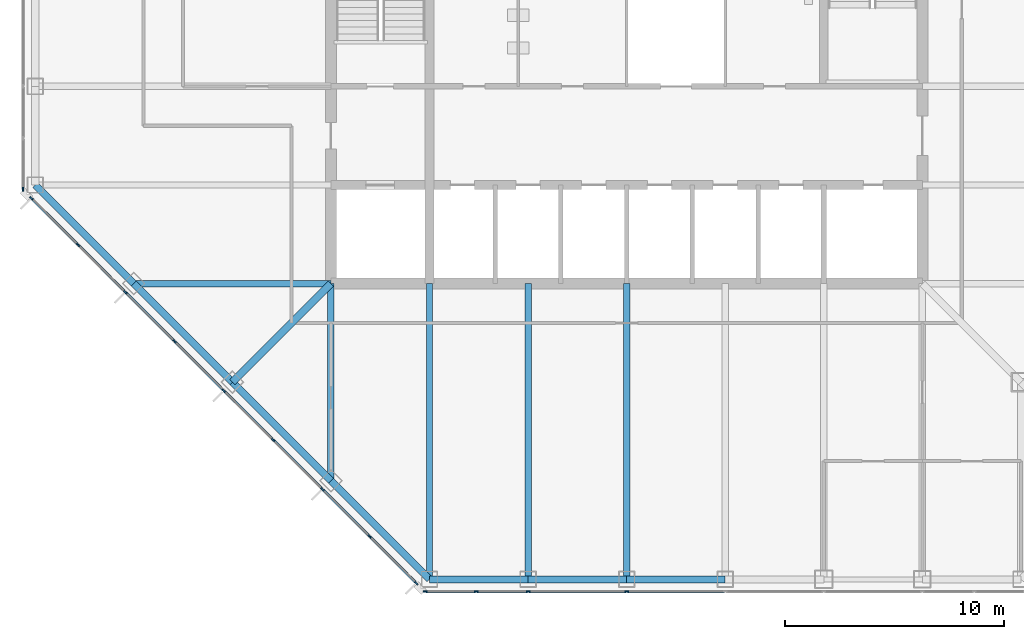
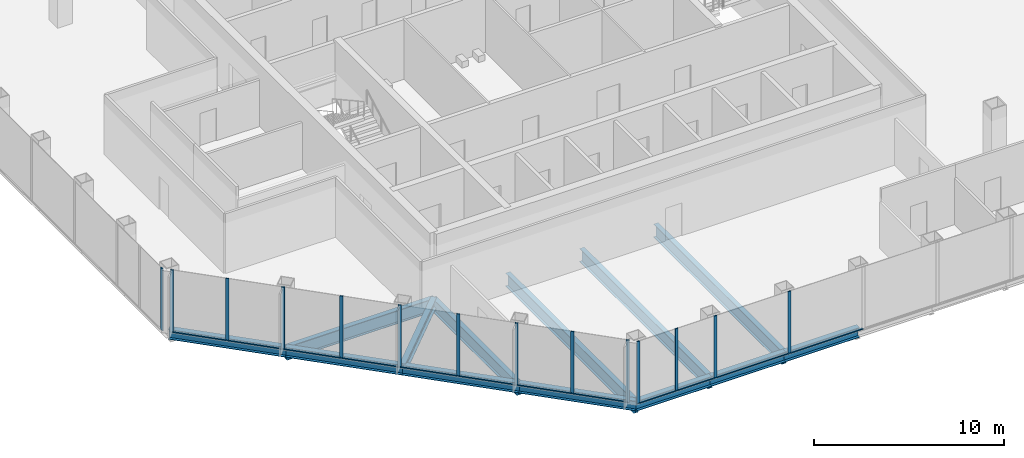
# One storey, part 2 of 12: 26 members, 13 beams, 3 elements without a shape of their own.
"""IFC4 building model written with IfcOpenShell, lengths in metres."""

import ifcopenshell
import ifcopenshell.guid

model = None  # the IFC model being written
_history = None  # IfcOwnerHistory: only IFC2X3 demands one
_inside = {}  # id of a spatial element -> (the spatial element, [elements in it])
_under = {}  # id of a project, library or spatial element -> (it, [spatial elements below it])
_declared = {}  # id of a project -> (the project, [libraries it declares])
_typed = {}  # id of a type object -> (the type object, [elements of that type])
_made_of = {}  # id of a material, layer set ... -> (it, [elements and type objects made of it])


def new_model(schema):
    """Start an empty IFC model of exactly this schema.

    Asked for "IFC4X3", IfcOpenShell would pick the latest addendum, in which some entities
    have other attributes; the version numbers below select the first issue.
    IFC2X3 requires an IfcOwnerHistory on every rooted entity: one is made here for all.
    """
    global model, _history
    if schema == "IFC4X3":
        model = ifcopenshell.file(schema_version=(4, 3, 0, 0))
    else:
        model = ifcopenshell.file(schema=schema)
    _inside.clear()
    _under.clear()
    _declared.clear()
    _typed.clear()
    _made_of.clear()
    _history = None
    if model.schema == "IFC2X3":
        org = make("IfcOrganization", Name="unknown")
        user = make(
            "IfcPersonAndOrganization",
            ThePerson=make("IfcPerson", FamilyName="unknown"),
            TheOrganization=org,
        )
        app = make(
            "IfcApplication",
            ApplicationDeveloper=org,
            Version="unknown",
            ApplicationFullName="unknown",
            ApplicationIdentifier="unknown",
        )
        _history = make(
            "IfcOwnerHistory",
            OwningUser=user,
            OwningApplication=app,
            ChangeAction="ADDED",
            CreationDate=0,
        )
    return model


def make(cls, **values):
    """One entity of the class cls with the attributes given. An attribute that is None is left unset."""
    return model.create_entity(
        cls, **{name: value for name, value in values.items() if value is not None}
    )


def rooted(cls, **values):
    """An entity with a GlobalId (a new one), such as an element, a storey or a relation."""
    return make(cls, GlobalId=ifcopenshell.guid.new(), OwnerHistory=_history, **values)


def si_unit(unit_type, name, prefix=None):
    """IfcSIUnit, for example si_unit("LENGTHUNIT", "METRE", prefix="MILLI")."""
    return make("IfcSIUnit", UnitType=unit_type, Prefix=prefix, Name=name)


def assignment(units):
    """IfcUnitAssignment: the units of a project."""
    return None if units is None else make("IfcUnitAssignment", Units=units)


def point(xyz):
    """IfcCartesianPoint."""
    return None if xyz is None else make("IfcCartesianPoint", Coordinates=xyz)


def direction(xyz):
    """IfcDirection."""
    return None if xyz is None else make("IfcDirection", DirectionRatios=xyz)


def frame(location, z_axis=None, x_axis=None):
    """IfcAxis2Placement3D, a coordinate frame: its origin and axes. An axis left out is left unset."""
    return make(
        "IfcAxis2Placement3D",
        Location=point(location),
        Axis=direction(z_axis),
        RefDirection=direction(x_axis),
    )


def frame_2d(location, x_axis=None):
    """IfcAxis2Placement2D, a coordinate frame in the plane: its origin and x axis."""
    return make(
        "IfcAxis2Placement2D", Location=point(location), RefDirection=direction(x_axis)
    )


def origin():
    """The frame at (0, 0, 0) with its axes left unset."""
    return frame((0.0, 0.0, 0.0))


def origin_2d():
    """The frame at (0, 0) in the plane with its x axis left unset."""
    return frame_2d((0.0, 0.0))


def place(relative_to, where):
    """IfcLocalPlacement: puts the frame where relative to a parent placement (None: the world)."""
    return make(
        "IfcLocalPlacement", PlacementRelTo=relative_to, RelativePlacement=where
    )


def context(
    kind, dimensions, precision=None, world=None, true_north=None, identifier=None
):
    """IfcGeometricRepresentationContext, for example the 3D "Model" context."""
    return make(
        "IfcGeometricRepresentationContext",
        ContextIdentifier=identifier,
        ContextType=kind,
        CoordinateSpaceDimension=dimensions,
        Precision=precision,
        WorldCoordinateSystem=world,
        TrueNorth=true_north,
    )


def subcontext(parent, identifier, kind, view, scale=None):
    """IfcGeometricRepresentationSubContext, for example "Body" below "Model"."""
    return make(
        "IfcGeometricRepresentationSubContext",
        ContextIdentifier=identifier,
        ContextType=kind,
        ParentContext=parent,
        TargetScale=scale,
        TargetView=view,
    )


def project(units=None, contexts=None):
    """IfcProject with its units and contexts."""
    return rooted(
        "IfcProject",
        Name="project",
        RepresentationContexts=contexts,
        UnitsInContext=assignment(units),
    )


def spatial(cls, under=None, at=None, **own):
    """A site, building, storey or space (cls), placed at a placement, below another one or the project."""
    s = rooted(cls, ObjectPlacement=at, **own)
    if under is not None:
        _under.setdefault(under.id(), (under, []))[1].append(s)
    return s


def profile(cls, at=None, kind="AREA", **sizes):
    """A parametric profile (cls). Its sizes go by their IFC names, for example OverallWidth=200.0."""
    return make(cls, ProfileType=kind, Position=at, **sizes)


def rectangle(**sizes):
    """IfcRectangleProfileDef."""
    return profile("IfcRectangleProfileDef", **sizes)


def i_section(**sizes):
    """IfcIShapeProfileDef."""
    return profile("IfcIShapeProfileDef", **sizes)


def extrude(swept, where, along, depth):
    """IfcExtrudedAreaSolid: the profile swept, set in the frame where, extruded along a direction by depth."""
    return make(
        "IfcExtrudedAreaSolid",
        SweptArea=swept,
        Position=where,
        ExtrudedDirection=direction(along),
        Depth=depth,
    )


def shape(context_of_items, identifier, shape_type, items):
    """IfcShapeRepresentation: the items that make up one representation, for example the "Body"."""
    return make(
        "IfcShapeRepresentation",
        ContextOfItems=context_of_items,
        RepresentationIdentifier=identifier,
        RepresentationType=shape_type,
        Items=items,
    )


def material(Name=None, Category=None):
    """IfcMaterial."""
    return make("IfcMaterial", Name=Name, Category=Category)


def material_profile(
    of_material, cross_section, Name=None, Category=None, Priority=None
):
    """IfcMaterialProfile: a cross section and its material."""
    return make(
        "IfcMaterialProfile",
        Name=Name,
        Material=of_material,
        Profile=cross_section,
        Priority=Priority,
        Category=Category,
    )


def profile_set(profiles, Name=None, composite=None):
    """IfcMaterialProfileSet."""
    return make(
        "IfcMaterialProfileSet",
        Name=Name,
        MaterialProfiles=profiles,
        CompositeProfile=composite,
    )


def made_of(thing, what):
    """Note that an element or type object is made of a material, layer set ...; save() writes the relation."""
    if what is not None:
        _made_of.setdefault(what.id(), (what, []))[1].append(thing)
    return thing


def type_object(cls, material=None, **own):
    """A type object (cls), such as IfcWallType, which elements share."""
    return made_of(rooted(cls, **own), material)


def element(
    cls,
    number,
    at=None,
    inside=None,
    cuts=None,
    type_object=None,
    material=None,
    context=None,
    identifier="Body",
    shape_type=None,
    held_by="IfcProductDefinitionShape",
    body=None,
    shapes=None,
    **own,
):
    """One element of the class cls, such as IfcWall. Its Tag is "e" and its number.

    at: its placement. inside: the storey or other place that contains it. cuts: it is an
    opening in that element (IfcRelVoidsElement). A single representation is given by context,
    identifier, shape_type and body (its items); several are given by shapes. held_by: the class
    of the entity that holds the representations. save() writes the other relations.
    """
    e = rooted(cls, Tag="e%d" % number, ObjectPlacement=at, **own)
    if body is not None:
        shapes = [shape(context, identifier, shape_type, body)]
    if shapes is not None:
        e.Representation = make(held_by, Representations=shapes)
    if inside is not None:
        _inside.setdefault(inside.id(), (inside, []))[1].append(e)
    if cuts is not None:
        rooted(
            "IfcRelVoidsElement", RelatingBuildingElement=cuts, RelatedOpeningElement=e
        )
    if type_object is not None:
        _typed.setdefault(type_object.id(), (type_object, []))[1].append(e)
    return made_of(e, material)


def aggregate(whole, parts):
    """IfcRelAggregates: a whole, such as a stair, and the parts it consists of."""
    return rooted("IfcRelAggregates", RelatingObject=whole, RelatedObjects=parts)


def save(model, path):
    """Write the relations noted so far, then the file.

    IfcRelAggregates (storeys below a building ...), IfcRelContainedInSpatialStructure (elements
    in a storey), IfcRelDefinesByType, IfcRelAssociatesMaterial and IfcRelDeclares: one each for
    every whole, place, type object, material and project.
    """
    for whole, parts in _under.values():
        aggregate(whole, parts)
    for where, things in _inside.values():
        rooted(
            "IfcRelContainedInSpatialStructure",
            RelatedElements=things,
            RelatingStructure=where,
        )
    for kind, things in _typed.values():
        rooted("IfcRelDefinesByType", RelatedObjects=things, RelatingType=kind)
    for what, things in _made_of.values():
        rooted("IfcRelAssociatesMaterial", RelatedObjects=things, RelatingMaterial=what)
    for by, libraries in _declared.values():
        rooted("IfcRelDeclares", RelatingContext=by, RelatedDefinitions=libraries)
    model.write(path)


model = new_model("IFC4")

# Units and contexts
model_context = context("Model", 3, precision=1e-05, world=origin(), true_north=direction((0.0, 1.0)))
body_context = subcontext(model_context, "Body", "Model", "MODEL_VIEW")
ifc_project = project(units=[si_unit("LENGTHUNIT", "METRE"), si_unit("AREAUNIT", "SQUARE_METRE"), si_unit("VOLUMEUNIT", "CUBIC_METRE"), si_unit("PLANEANGLEUNIT", "RADIAN"), si_unit("MASSUNIT", "GRAM", prefix="KILO")], contexts=[model_context])

# Site, building, storey
site_placement = place(None, origin())
site = spatial("IfcSite", under=ifc_project, at=site_placement, CompositionType="ELEMENT")
building_placement = place(site_placement, origin())
building = spatial("IfcBuilding", under=site, at=building_placement, Name="Corais Broadcast Tower", CompositionType="ELEMENT")
storey_placement = place(building_placement, frame((0.0, 0.0, 127.60009765625)))
storey = spatial("IfcBuildingStorey", under=building, at=storey_placement, Name="L28", CompositionType="ELEMENT", Elevation=127.60009765625)

# Beams
ifc_material_1 = material(Name="Steel ASTM A572 Grade 50", Category="steel")
ifc_material_profile_1 = material_profile(ifc_material_1, i_section(OverallWidth=0.323974609375, OverallDepth=0.611083984375, WebThickness=0.0126953125, FlangeThickness=0.01904296875, at=origin_2d()), Name="W610x155")
ifc_profile_set_1 = profile_set([ifc_material_profile_1], Name="Steel ASTM A572 Grade 50")
beam_type_1 = type_object("IfcBeamType", Name="Corner diagonal W610x155", PredefinedType="BEAM", material=ifc_profile_set_1)
beam_1_placement = place(storey_placement, frame((9.0, 9.0, -0.465576171875), z_axis=(0.707106781187, 0.707106781187, 0.0), x_axis=(-0.707106781187, 0.707106781187, 0.0)))
element("IfcBeam", 1, at=beam_1_placement, inside=storey, type_object=beam_type_1, Name="B6 C/5 to D/6", PredefinedType="BEAM", context=body_context, shape_type="SweptSolid", body=[
    extrude(i_section(OverallWidth=0.323974609375, OverallDepth=0.611083984375, WebThickness=0.0126953125, FlangeThickness=0.01904296875, at=origin_2d()), origin(), (0.0, 0.0, 1.0), 6.364013671875),
])
ifc_material_2 = material(Name="Steel ASTM A572 Grade 50", Category="steel")
ifc_material_profile_2 = material_profile(ifc_material_2, i_section(OverallWidth=0.2939453125, OverallDepth=0.85107421875, WebThickness=0.01611328125, FlangeThickness=0.02685546875, at=origin_2d()), Name="W840x226")
ifc_profile_set_2 = profile_set([ifc_material_profile_2], Name="Steel ASTM A572 Grade 50")
beam_type_2 = type_object("IfcBeamType", Name="Floor beam W840x226", PredefinedType="BEAM", material=ifc_profile_set_2)
beam_2_placement = place(storey_placement, frame((13.5, 4.5, -0.585693359375), z_axis=(0.0, 1.0, 0.0), x_axis=(-1.0, 0.0, 0.0)))
element("IfcBeam", 2, at=beam_2_placement, inside=storey, type_object=beam_type_2, Name="B1 B/6 to D/6", PredefinedType="BEAM", context=body_context, shape_type="SweptSolid", body=[
    extrude(i_section(OverallWidth=0.2939453125, OverallDepth=0.85107421875, WebThickness=0.01611328125, FlangeThickness=0.02685546875, at=origin_2d()), origin(), (0.0, 0.0, 1.0), 9.0),
])
for number, where, z_axis, x_axis, name in (
    (3, (18.0, 0.0, -0.585693359375), (0.0, 1.0, 0.0), (-1.0, 0.0, 0.0), "B1 A/7 to D/7"),
    (4, (22.5, 0.0, -0.585693359375), (0.0, 1.0, 0.0), (-1.0, 0.0, 0.0), "B1 A/8 to D/8"),
    (5, (27.0, 0.0, -0.585693359375), (0.0, 1.0, 0.0), (-1.0, 0.0, 0.0), "B1 A/9 to D/9"),
):
    element("IfcBeam", number, at=place(storey_placement, frame(where, z_axis=z_axis, x_axis=x_axis)), inside=storey, type_object=beam_type_2, Name=name, PredefinedType="BEAM", context=body_context, shape_type="SweptSolid", body=[
        extrude(i_section(OverallWidth=0.2939453125, OverallDepth=0.85107421875, WebThickness=0.01611328125, FlangeThickness=0.02685546875, at=origin_2d()), origin(), (0.0, 0.0, 1.0), 13.5),
    ])
beam_3_placement = place(storey_placement, frame((4.5, 13.5, -0.585693359375), z_axis=(1.0, 0.0, 0.0), x_axis=(0.0, 1.0, 0.0)))
element("IfcBeam", 6, at=beam_3_placement, inside=storey, type_object=beam_type_2, Name="B1 D/4 to D/6", PredefinedType="BEAM", context=body_context, shape_type="SweptSolid", body=[
    extrude(i_section(OverallWidth=0.2939453125, OverallDepth=0.85107421875, WebThickness=0.01611328125, FlangeThickness=0.02685546875, at=origin_2d()), origin(), (0.0, 0.0, 1.0), 9.0),
])

# Curtain wall, members
ifc_material_3 = material(Name="Aluminium and glass", Category="aluminium")
curtain_wall_type = type_object("IfcCurtainWallType", Name="Unitised fritted curtain wall CW2", PredefinedType="NOTDEFINED", material=ifc_material_3)
curtain_wall_1_placement = place(storey_placement, origin())
curtain_wall_1 = element("IfcCurtainWall", 7, at=curtain_wall_1_placement, inside=storey, type_object=curtain_wall_type, Name="CW2 curtain wall L28 1", PredefinedType="NOTDEFINED")
ifc_material_4 = material(Name="Aluminium 6063-T6", Category="aluminium")
ifc_material_profile_3 = material_profile(ifc_material_4, rectangle(XDim=0.06494140625, YDim=0.179931640625, at=origin_2d()), Name="Mullion CW2 65x180")
ifc_profile_set_3 = profile_set([ifc_material_profile_3], Name="Aluminium 6063-T6")
member_type_1 = type_object("IfcMemberType", Name="Mullion CW2 65x180", PredefinedType="MULLION", material=ifc_profile_set_3)
member_1_placement = place(storey_placement, frame((17.3955078125, -0.17333984375, 0.0), z_axis=(0.0, 0.0, 1.0), x_axis=(-0.707106781187, -0.707106781187, 0.0)))
member_1 = element("IfcMember", 8, at=member_1_placement, type_object=member_type_1, Name="CW2 mullion 1", PredefinedType="MULLION", context=body_context, shape_type="SweptSolid", body=[
    extrude(rectangle(XDim=0.06494140625, YDim=0.179931640625, at=origin_2d()), origin(), (0.0, 0.0, 1.0), 4.0),
])
member_2_placement = place(storey_placement, frame((15.264892578125, 1.957275390625, 0.0), z_axis=(0.0, 0.0, 1.0), x_axis=(-0.707106781187, -0.707106781187, 0.0)))
member_2 = element("IfcMember", 9, at=member_2_placement, type_object=member_type_1, Name="CW2 mullion 2", PredefinedType="MULLION", context=body_context, shape_type="SweptSolid", body=[
    extrude(rectangle(XDim=0.06494140625, YDim=0.179931640625, at=origin_2d()), origin(), (0.0, 0.0, 1.0), 4.0),
])
member_3_placement = place(storey_placement, frame((13.111083984375, 4.111083984375, 0.0), z_axis=(0.0, 0.0, 1.0), x_axis=(-0.707106781187, -0.707106781187, 0.0)))
member_3 = element("IfcMember", 10, at=member_3_placement, type_object=member_type_1, Name="CW2 mullion 3", PredefinedType="MULLION", context=body_context, shape_type="SweptSolid", body=[
    extrude(rectangle(XDim=0.06494140625, YDim=0.179931640625, at=origin_2d()), origin(), (0.0, 0.0, 1.0), 4.0),
])
member_4_placement = place(storey_placement, frame((10.861083984375, 6.361083984375, 0.0), z_axis=(0.0, 0.0, 1.0), x_axis=(-0.707106781187, -0.707106781187, 0.0)))
member_4 = element("IfcMember", 11, at=member_4_placement, type_object=member_type_1, Name="CW2 mullion 4", PredefinedType="MULLION", context=body_context, shape_type="SweptSolid", body=[
    extrude(rectangle(XDim=0.06494140625, YDim=0.179931640625, at=origin_2d()), origin(), (0.0, 0.0, 1.0), 4.0),
])
member_5_placement = place(storey_placement, frame((8.611083984375, 8.611083984375, 0.0), z_axis=(0.0, 0.0, 1.0), x_axis=(-0.707106781187, -0.707106781187, 0.0)))
member_5 = element("IfcMember", 12, at=member_5_placement, type_object=member_type_1, Name="CW2 mullion 5", PredefinedType="MULLION", context=body_context, shape_type="SweptSolid", body=[
    extrude(rectangle(XDim=0.06494140625, YDim=0.179931640625, at=origin_2d()), origin(), (0.0, 0.0, 1.0), 4.0),
])
member_6_placement = place(storey_placement, frame((6.361083984375, 10.861083984375, 0.0), z_axis=(0.0, 0.0, 1.0), x_axis=(-0.707106781187, -0.707106781187, 0.0)))
member_6 = element("IfcMember", 13, at=member_6_placement, type_object=member_type_1, Name="CW2 mullion 6", PredefinedType="MULLION", context=body_context, shape_type="SweptSolid", body=[
    extrude(rectangle(XDim=0.06494140625, YDim=0.179931640625, at=origin_2d()), origin(), (0.0, 0.0, 1.0), 4.0),
])
member_7_placement = place(storey_placement, frame((4.111083984375, 13.111083984375, 0.0), z_axis=(0.0, 0.0, 1.0), x_axis=(-0.707106781187, -0.707106781187, 0.0)))
member_7 = element("IfcMember", 14, at=member_7_placement, type_object=member_type_1, Name="CW2 mullion 7", PredefinedType="MULLION", context=body_context, shape_type="SweptSolid", body=[
    extrude(rectangle(XDim=0.06494140625, YDim=0.179931640625, at=origin_2d()), origin(), (0.0, 0.0, 1.0), 4.0),
])
member_8_placement = place(storey_placement, frame((1.957275390625, 15.264892578125, 0.0), z_axis=(0.0, 0.0, 1.0), x_axis=(-0.707106781187, -0.707106781187, 0.0)))
member_8 = element("IfcMember", 15, at=member_8_placement, type_object=member_type_1, Name="CW2 mullion 8", PredefinedType="MULLION", context=body_context, shape_type="SweptSolid", body=[
    extrude(rectangle(XDim=0.06494140625, YDim=0.179931640625, at=origin_2d()), origin(), (0.0, 0.0, 1.0), 4.0),
])
member_9_placement = place(storey_placement, frame((-0.17333984375, 17.3955078125, 0.0), z_axis=(0.0, 0.0, 1.0), x_axis=(-0.707106781187, -0.707106781187, 0.0)))
member_9 = element("IfcMember", 16, at=member_9_placement, type_object=member_type_1, Name="CW2 mullion 9", PredefinedType="MULLION", context=body_context, shape_type="SweptSolid", body=[
    extrude(rectangle(XDim=0.06494140625, YDim=0.179931640625, at=origin_2d()), origin(), (0.0, 0.0, 1.0), 4.0),
])

# Curtain wall, member
curtain_wall_2_placement = place(storey_placement, origin())
curtain_wall_2 = element("IfcCurtainWall", 17, at=curtain_wall_2_placement, inside=storey, type_object=curtain_wall_type, Name="CW2 curtain wall L28 2", PredefinedType="NOTDEFINED")
member_10_placement = place(storey_placement, frame((-0.550048828125, 17.8046875, 0.0), z_axis=(0.0, 0.0, 1.0), x_axis=(-1.0, 0.0, 0.0)))
member_10 = element("IfcMember", 18, at=member_10_placement, type_object=member_type_1, Name="CW2 mullion 1", PredefinedType="MULLION", context=body_context, shape_type="SweptSolid", body=[
    extrude(rectangle(XDim=0.06494140625, YDim=0.179931640625, at=origin_2d()), origin(), (0.0, 0.0, 1.0), 4.0),
])
aggregate(curtain_wall_2, [member_10])

# Curtain wall, members
curtain_wall_3_placement = place(storey_placement, origin())
curtain_wall_3 = element("IfcCurtainWall", 19, at=curtain_wall_3_placement, inside=storey, type_object=curtain_wall_type, Name="CW2 curtain wall L28 8", PredefinedType="NOTDEFINED")
member_11_placement = place(storey_placement, frame((27.0, -0.550048828125, 0.0), z_axis=(0.0, 0.0, 1.0), x_axis=(0.0, -1.0, 0.0)))
member_11 = element("IfcMember", 20, at=member_11_placement, type_object=member_type_1, Name="CW2 mullion 6", PredefinedType="MULLION", context=body_context, shape_type="SweptSolid", body=[
    extrude(rectangle(XDim=0.06494140625, YDim=0.179931640625, at=origin_2d()), origin(), (0.0, 0.0, 1.0), 4.0),
])
member_12_placement = place(storey_placement, frame((22.5, -0.550048828125, 0.0), z_axis=(0.0, 0.0, 1.0), x_axis=(0.0, -1.0, 0.0)))
member_12 = element("IfcMember", 21, at=member_12_placement, type_object=member_type_1, Name="CW2 mullion 7", PredefinedType="MULLION", context=body_context, shape_type="SweptSolid", body=[
    extrude(rectangle(XDim=0.06494140625, YDim=0.179931640625, at=origin_2d()), origin(), (0.0, 0.0, 1.0), 4.0),
])
member_13_placement = place(storey_placement, frame((20.135986328125, -0.550048828125, 0.0), z_axis=(0.0, 0.0, 1.0), x_axis=(0.0, -1.0, 0.0)))
member_13 = element("IfcMember", 22, at=member_13_placement, type_object=member_type_1, Name="CW2 mullion 8", PredefinedType="MULLION", context=body_context, shape_type="SweptSolid", body=[
    extrude(rectangle(XDim=0.06494140625, YDim=0.179931640625, at=origin_2d()), origin(), (0.0, 0.0, 1.0), 4.0),
])
member_14_placement = place(storey_placement, frame((17.8046875, -0.550048828125, 0.0), z_axis=(0.0, 0.0, 1.0), x_axis=(0.0, -1.0, 0.0)))
member_14 = element("IfcMember", 23, at=member_14_placement, type_object=member_type_1, Name="CW2 mullion 9", PredefinedType="MULLION", context=body_context, shape_type="SweptSolid", body=[
    extrude(rectangle(XDim=0.06494140625, YDim=0.179931640625, at=origin_2d()), origin(), (0.0, 0.0, 1.0), 4.0),
])

# Beams
ifc_material_5 = material(Name="Steel ASTM A572 Grade 50", Category="steel")
ifc_material_profile_4 = material_profile(ifc_material_5, i_section(OverallWidth=0.3291015625, OverallDepth=0.635009765625, WebThickness=0.017822265625, FlangeThickness=0.031005859375, at=origin_2d()), Name="W610x241")
ifc_profile_set_4 = profile_set([ifc_material_profile_4], Name="Steel ASTM A572 Grade 50")
beam_type_3 = type_object("IfcBeamType", Name="Spandrel W610x241", PredefinedType="BEAM", material=ifc_profile_set_4)
for number, where, z_axis, x_axis, name in (
    (24, (0.0, 18.0, -0.4775390625), (0.707106781187, -0.707106781187, 0.0), (0.707106781187, 0.707106781187, 0.0), "SB1 E/3 to D/4"),
    (25, (13.5, 4.5, -0.4775390625), (0.707106781187, -0.707106781187, 0.0), (0.707106781187, 0.707106781187, 0.0), "SB1 B/6 to A/7"),
):
    element("IfcBeam", number, at=place(storey_placement, frame(where, z_axis=z_axis, x_axis=x_axis)), inside=storey, type_object=beam_type_3, Name=name, PredefinedType="BEAM", context=body_context, shape_type="SweptSolid", body=[
        extrude(i_section(OverallWidth=0.3291015625, OverallDepth=0.635009765625, WebThickness=0.017822265625, FlangeThickness=0.031005859375, at=origin_2d()), origin(), (0.0, 0.0, 1.0), 6.364013671875),
    ])
for number, where, z_axis, x_axis, name in (
    (26, (18.0, 0.0, -0.4775390625), (1.0, 0.0, 0.0), (0.0, 1.0, 0.0), "SB1 A/7 to A/8"),
    (27, (22.5, 0.0, -0.4775390625), (1.0, 0.0, 0.0), (0.0, 1.0, 0.0), "SB1 A/8 to A/9"),
    (28, (27.0, 0.0, -0.4775390625), (1.0, 0.0, 0.0), (0.0, 1.0, 0.0), "SB1 A/9 to A/10"),
):
    element("IfcBeam", number, at=place(storey_placement, frame(where, z_axis=z_axis, x_axis=x_axis)), inside=storey, type_object=beam_type_3, Name=name, PredefinedType="BEAM", context=body_context, shape_type="SweptSolid", body=[
        extrude(i_section(OverallWidth=0.3291015625, OverallDepth=0.635009765625, WebThickness=0.017822265625, FlangeThickness=0.031005859375, at=origin_2d()), origin(), (0.0, 0.0, 1.0), 4.5),
    ])
for number, where, z_axis, x_axis, name in (
    (29, (4.5, 13.5, -0.4775390625), (0.707106781187, -0.707106781187, 0.0), (0.707106781187, 0.707106781187, 0.0), "SB1 D/4 to C/5"),
    (30, (9.0, 9.0, -0.4775390625), (0.707106781187, -0.707106781187, 0.0), (0.707106781187, 0.707106781187, 0.0), "SB1 C/5 to B/6"),
):
    element("IfcBeam", number, at=place(storey_placement, frame(where, z_axis=z_axis, x_axis=x_axis)), inside=storey, type_object=beam_type_3, Name=name, PredefinedType="BEAM", context=body_context, shape_type="SweptSolid", body=[
        extrude(i_section(OverallWidth=0.3291015625, OverallDepth=0.635009765625, WebThickness=0.017822265625, FlangeThickness=0.031005859375, at=origin_2d()), origin(), (0.0, 0.0, 1.0), 6.364013671875),
    ])

# Member
ifc_material_6 = material(Name="Aluminium 6063-T6", Category="aluminium")
ifc_material_profile_5 = material_profile(ifc_material_6, rectangle(XDim=0.1298828125, YDim=0.06494140625, at=origin_2d()), Name="Transom CW2 65x130")
ifc_profile_set_5 = profile_set([ifc_material_profile_5], Name="Aluminium 6063-T6")
member_type_2 = type_object("IfcMemberType", Name="Transom CW2 65x130", PredefinedType="USERDEFINED", material=ifc_profile_set_5)
member_15_placement = place(storey_placement, frame((17.37255859375, -0.150390625, 0.032470703125), z_axis=(-0.707106781187, 0.707106781187, 0.0), x_axis=(-0.707106781187, -0.707106781187, 0.0)))
member_15 = element("IfcMember", 31, at=member_15_placement, type_object=member_type_2, Name="CW2 transom 1.1", ObjectType="TRANSOM", PredefinedType="USERDEFINED", context=body_context, shape_type="SweptSolid", body=[
    extrude(rectangle(XDim=0.1298828125, YDim=0.06494140625, at=origin_2d()), origin(), (0.0, 0.0, 1.0), 2.9482421875),
])

member_16_placement = place(storey_placement, frame((15.241943359375, 1.980224609375, 0.032470703125), z_axis=(-0.707106781187, 0.707106781187, 0.0), x_axis=(-0.707106781187, -0.707106781187, 0.0)))
member_16 = element("IfcMember", 32, at=member_16_placement, type_object=member_type_2, Name="CW2 transom 2.1", ObjectType="TRANSOM", PredefinedType="USERDEFINED", context=body_context, shape_type="SweptSolid", body=[
    extrude(rectangle(XDim=0.1298828125, YDim=0.06494140625, at=origin_2d()), origin(), (0.0, 0.0, 1.0), 2.98095703125),
])

member_17_placement = place(storey_placement, frame((13.088134765625, 4.134033203125, 0.032470703125), z_axis=(-0.707106781187, 0.707106781187, 0.0), x_axis=(-0.707106781187, -0.707106781187, 0.0)))
member_17 = element("IfcMember", 33, at=member_17_placement, type_object=member_type_2, Name="CW2 transom 3.1", ObjectType="TRANSOM", PredefinedType="USERDEFINED", context=body_context, shape_type="SweptSolid", body=[
    extrude(rectangle(XDim=0.1298828125, YDim=0.06494140625, at=origin_2d()), origin(), (0.0, 0.0, 1.0), 3.1171875),
])

member_18_placement = place(storey_placement, frame((10.838134765625, 6.384033203125, 0.032470703125), z_axis=(-0.707106781187, 0.707106781187, 0.0), x_axis=(-0.707106781187, -0.707106781187, 0.0)))
member_18 = element("IfcMember", 34, at=member_18_placement, type_object=member_type_2, Name="CW2 transom 4.1", ObjectType="TRANSOM", PredefinedType="USERDEFINED", context=body_context, shape_type="SweptSolid", body=[
    extrude(rectangle(XDim=0.1298828125, YDim=0.06494140625, at=origin_2d()), origin(), (0.0, 0.0, 1.0), 3.1171875),
])

member_19_placement = place(storey_placement, frame((8.588134765625, 8.634033203125, 0.032470703125), z_axis=(-0.707106781187, 0.707106781187, 0.0), x_axis=(-0.707106781187, -0.707106781187, 0.0)))
member_19 = element("IfcMember", 35, at=member_19_placement, type_object=member_type_2, Name="CW2 transom 5.1", ObjectType="TRANSOM", PredefinedType="USERDEFINED", context=body_context, shape_type="SweptSolid", body=[
    extrude(rectangle(XDim=0.1298828125, YDim=0.06494140625, at=origin_2d()), origin(), (0.0, 0.0, 1.0), 3.1171875),
])

member_20_placement = place(storey_placement, frame((6.338134765625, 10.884033203125, 0.032470703125), z_axis=(-0.707106781187, 0.707106781187, 0.0), x_axis=(-0.707106781187, -0.707106781187, 0.0)))
member_20 = element("IfcMember", 36, at=member_20_placement, type_object=member_type_2, Name="CW2 transom 6.1", ObjectType="TRANSOM", PredefinedType="USERDEFINED", context=body_context, shape_type="SweptSolid", body=[
    extrude(rectangle(XDim=0.1298828125, YDim=0.06494140625, at=origin_2d()), origin(), (0.0, 0.0, 1.0), 3.1171875),
])

member_21_placement = place(storey_placement, frame((4.088134765625, 13.134033203125, 0.032470703125), z_axis=(-0.707065828661, 0.70714773134, 0.0), x_axis=(-0.70714773134, -0.707065828661, 0.0)))
member_21 = element("IfcMember", 37, at=member_21_placement, type_object=member_type_2, Name="CW2 transom 7.1", ObjectType="TRANSOM", PredefinedType="USERDEFINED", context=body_context, shape_type="SweptSolid", body=[
    extrude(rectangle(XDim=0.1298828125, YDim=0.06494140625, at=origin_2d()), origin(), (0.0, 0.0, 1.0), 2.98095703125),
])

member_22_placement = place(storey_placement, frame((1.934326171875, 15.287841796875, 0.032470703125), z_axis=(-0.707106781187, 0.707106781187, 0.0), x_axis=(-0.707106781187, -0.707106781187, 0.0)))
member_22 = element("IfcMember", 38, at=member_22_placement, type_object=member_type_2, Name="CW2 transom 8.1", ObjectType="TRANSOM", PredefinedType="USERDEFINED", context=body_context, shape_type="SweptSolid", body=[
    extrude(rectangle(XDim=0.1298828125, YDim=0.06494140625, at=origin_2d()), origin(), (0.0, 0.0, 1.0), 2.9482421875),
])

aggregate(curtain_wall_1, [member_1, member_2, member_3, member_4, member_5, member_6, member_7, member_8, member_9, member_15, member_16, member_17, member_18, member_19, member_20, member_21, member_22])

member_23_placement = place(storey_placement, frame((31.467529296875, -0.550048828125, 0.032470703125), z_axis=(-1.0, 0.0, 0.0), x_axis=(0.0, -1.0, 0.0)))
member_23 = element("IfcMember", 39, at=member_23_placement, type_object=member_type_2, Name="CW2 transom 5.1", ObjectType="TRANSOM", PredefinedType="USERDEFINED", context=body_context, shape_type="SweptSolid", body=[
    extrude(rectangle(XDim=0.1298828125, YDim=0.06494140625, at=origin_2d()), origin(), (0.0, 0.0, 1.0), 4.43505859375),
])

member_24_placement = place(storey_placement, frame((26.967529296875, -0.550048828125, 0.032470703125), z_axis=(-1.0, 0.0, 0.0), x_axis=(0.0, -1.0, 0.0)))
member_24 = element("IfcMember", 40, at=member_24_placement, type_object=member_type_2, Name="CW2 transom 6.1", ObjectType="TRANSOM", PredefinedType="USERDEFINED", context=body_context, shape_type="SweptSolid", body=[
    extrude(rectangle(XDim=0.1298828125, YDim=0.06494140625, at=origin_2d()), origin(), (0.0, 0.0, 1.0), 4.43505859375),
])

member_25_placement = place(storey_placement, frame((22.467529296875, -0.550048828125, 0.032470703125), z_axis=(-1.0, 0.0, 0.0), x_axis=(0.0, -1.0, 0.0)))
member_25 = element("IfcMember", 41, at=member_25_placement, type_object=member_type_2, Name="CW2 transom 7.1", ObjectType="TRANSOM", PredefinedType="USERDEFINED", context=body_context, shape_type="SweptSolid", body=[
    extrude(rectangle(XDim=0.1298828125, YDim=0.06494140625, at=origin_2d()), origin(), (0.0, 0.0, 1.0), 2.298828125),
])

member_26_placement = place(storey_placement, frame((20.103515625, -0.550048828125, 0.032470703125), z_axis=(-1.0, 0.0, 0.0), x_axis=(0.0, -1.0, 0.0)))
member_26 = element("IfcMember", 42, at=member_26_placement, type_object=member_type_2, Name="CW2 transom 8.1", ObjectType="TRANSOM", PredefinedType="USERDEFINED", context=body_context, shape_type="SweptSolid", body=[
    extrude(rectangle(XDim=0.1298828125, YDim=0.06494140625, at=origin_2d()), origin(), (0.0, 0.0, 1.0), 2.266357421875),
])

aggregate(curtain_wall_3, [member_11, member_12, member_13, member_14, member_23, member_24, member_25, member_26])

save(model, "model.ifc")
